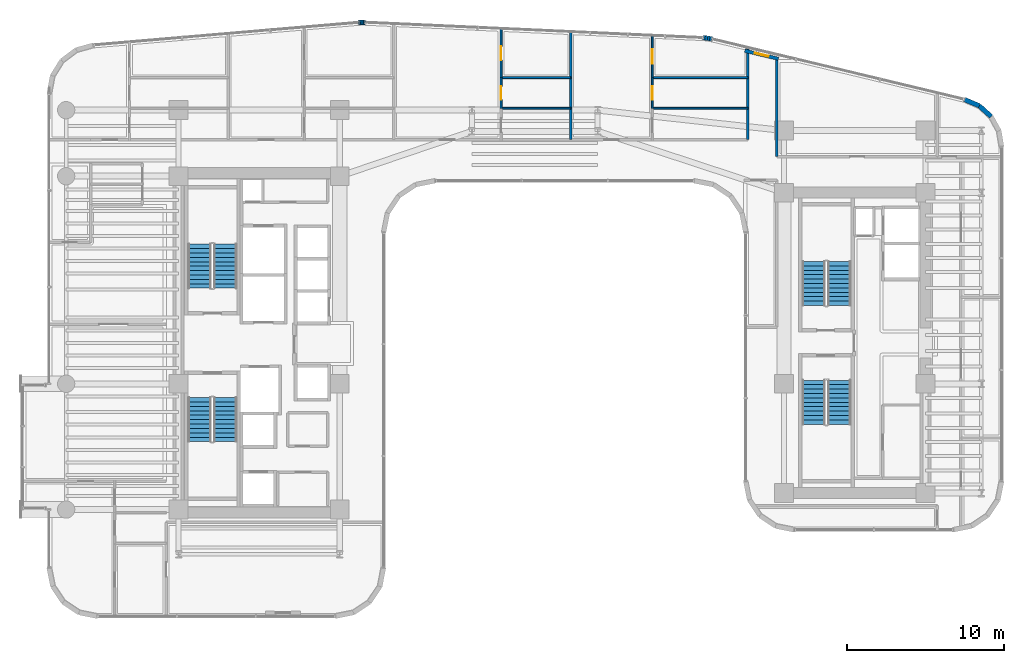
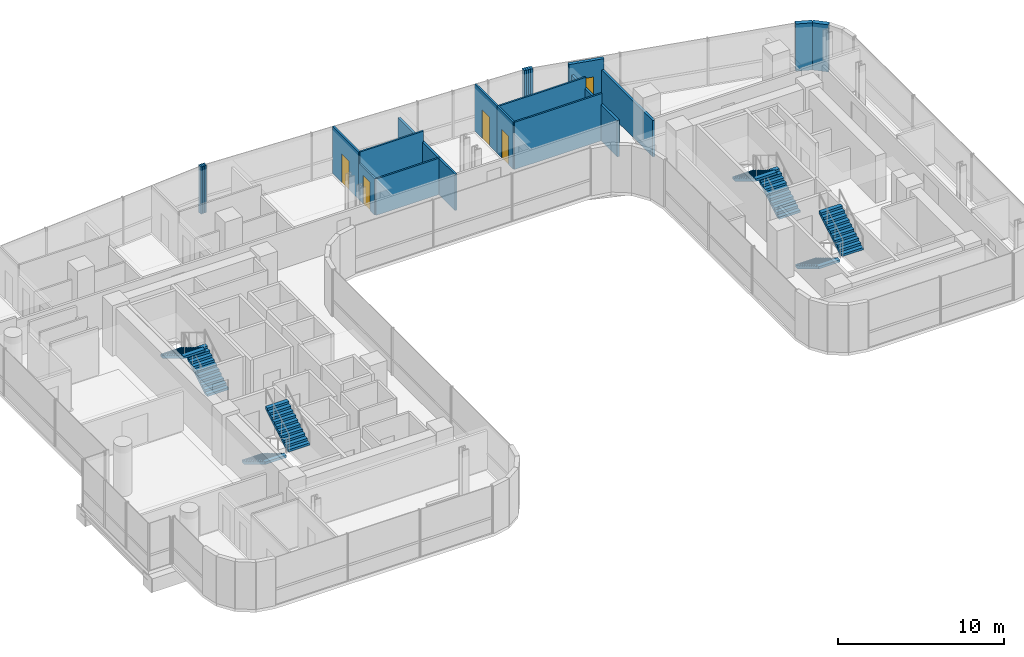
# One storey, part 32 of 37: 22 walls, 8 stair flights, 4 doors, 1 window, 5 openings, 4 elements without a shape of their own.
"""IFC4 building model written with IfcOpenShell, lengths in metres."""

from ifc_helpers import new_model, si_unit, direction, frame, frame_2d, origin, place, context, subcontext, project, spatial, polyline, rectangle, outline, extrude, material, layer, layer_set, type_object, element, fill, aggregate, save


model = new_model("IFC4")

# Units and contexts
model_context = context("Model", 3, precision=1e-05, world=origin(), true_north=direction((0.0, 1.0)))
body_context = subcontext(model_context, "Body", "Model", "MODEL_VIEW")
ifc_project = project(units=[si_unit("LENGTHUNIT", "METRE"), si_unit("AREAUNIT", "SQUARE_METRE"), si_unit("VOLUMEUNIT", "CUBIC_METRE"), si_unit("PLANEANGLEUNIT", "RADIAN"), si_unit("MASSUNIT", "GRAM", prefix="KILO")], contexts=[model_context])

# Site, building, storey
site_placement = place(None, origin())
site = spatial("IfcSite", under=ifc_project, at=site_placement, CompositionType="ELEMENT")
building_placement = place(site_placement, origin())
building = spatial("IfcBuilding", under=site, at=building_placement, Name="Valdorenza Pilgrim Sanctuary Tower", CompositionType="ELEMENT")
storey_placement = place(building_placement, frame((0.0, 0.0, 127.89990234375)))
storey = spatial("IfcBuildingStorey", under=building, at=storey_placement, Name="L32", CompositionType="ELEMENT", Elevation=127.89990234375)

# Walls
ifc_material_1 = material(Name="Acoustic twin-stud gypsum partition", Category="gypsum")
ifc_layer_1 = layer(ifc_material_1, 0.159912109375, Name="Acoustic twin-stud gypsum partition")
ifc_layer_set_1 = layer_set([ifc_layer_1], Name="Acoustic twin-stud gypsum partition")
wall_type_1 = type_object("IfcWallType", Name="WAL-COR-160", PredefinedType="PARTITIONING", material=ifc_layer_set_1)
wall_1_placement = place(storey_placement, frame((13.550048828125, 12.919921875, 0.0), z_axis=(0.0, 0.0, 1.0), x_axis=(0.0, 1.0, 0.0)))
element("IfcWall", 1, at=wall_1_placement, inside=storey, type_object=wall_type_1, Name="L32 North Band East Closure", PredefinedType="PARTITIONING", context=body_context, shape_type="SweptSolid", body=[
    extrude(rectangle(XDim=5.856689453125, YDim=0.159912109375, at=frame_2d((2.92822265625, 0.0))), origin(), (0.0, 0.0, 1.0), 2.666015625),
])
wall_2_placement = place(storey_placement, frame((15.39990234375, 11.85009765625, 0.0), z_axis=(0.0, 0.0, 1.0), x_axis=(0.0, 1.0, 0.0)))
element("IfcWall", 2, at=wall_2_placement, inside=storey, type_object=wall_type_1, Name="L32 Wing B North West Wall", PredefinedType="PARTITIONING", context=body_context, shape_type="SweptSolid", body=[
    extrude(rectangle(XDim=6.14990234375, YDim=0.159912109375, at=frame_2d((3.074951171875, 0.0))), origin(), (0.0, 0.0, 1.0), 2.666015625),
])
ifc_material_2 = material(Name="Honed travertine limestone", Category="masonry")
ifc_layer_2 = layer(ifc_material_2, 0.300048828125, Name="Honed travertine limestone")
ifc_layer_set_2 = layer_set([ifc_layer_2], Name="Honed travertine limestone")
wall_type_2 = type_object("IfcWallType", Name="WAL-EXT-300", PredefinedType="SOLIDWALL", material=ifc_layer_set_2)
wall_3_placement = place(storey_placement, frame((-11.199462890625, 20.37255859375, 0.0), z_axis=(0.0, 0.0, 1.0), x_axis=(0.997567332166, 0.069709524416, 0.0)))
element("IfcWall", 3, at=wall_3_placement, inside=storey, type_object=wall_type_2, Name="L32 Rounded Wind-Corner Stone Pier 7", PredefinedType="SOLIDWALL", context=body_context, shape_type="SweptSolid", body=[
    extrude(rectangle(XDim=0.1015625, YDim=0.300048828125, at=frame_2d((0.05078125, 0.0))), origin(), (0.0, 0.0, 1.0), 3.460205078125),
])
wall_4_placement = place(storey_placement, frame((-11.09814453125, 20.379638671875, 0.0), z_axis=(0.0, 0.0, 1.0), x_axis=(0.999334672785, 0.03647206835, 0.0)))
element("IfcWall", 4, at=wall_4_placement, inside=storey, type_object=wall_type_2, Name="L32 Rounded Wind-Corner Stone Pier 8", PredefinedType="SOLIDWALL", context=body_context, shape_type="SweptSolid", body=[
    extrude(rectangle(XDim=0.100341796875, YDim=0.300048828125, at=frame_2d((0.05029296875, 0.0))), origin(), (0.0, 0.0, 1.0), 3.460205078125),
])
wall_5_placement = place(storey_placement, frame((-10.997802734375, 20.38330078125, 0.0), z_axis=(0.0, 0.0, 1.0), x_axis=(0.999997054401, 0.002427177317, 0.0)))
element("IfcWall", 5, at=wall_5_placement, inside=storey, type_object=wall_type_2, Name="L32 Rounded Wind-Corner Stone Pier 9", PredefinedType="SOLIDWALL", context=body_context, shape_type="SweptSolid", body=[
    extrude(rectangle(XDim=0.1005859375, YDim=0.300048828125, at=frame_2d((0.05029296875, 0.0))), origin(), (0.0, 0.0, 1.0), 3.460205078125),
])
wall_6_placement = place(storey_placement, frame((-10.897216796875, 20.383544921875, 0.0), z_axis=(0.0, 0.0, 1.0), x_axis=(0.999584209171, -0.02883415988, 0.0)))
element("IfcWall", 6, at=wall_6_placement, inside=storey, type_object=wall_type_2, Name="L32 Rounded Wind-Corner Stone Pier 10", PredefinedType="SOLIDWALL", context=body_context, shape_type="SweptSolid", body=[
    extrude(rectangle(XDim=0.1015625, YDim=0.300048828125, at=frame_2d((0.05078125, 0.0))), origin(), (0.0, 0.0, 1.0), 3.460205078125),
])
wall_7_placement = place(storey_placement, frame((10.68994140625, 19.404052734375, 0.0), z_axis=(0.0, 0.0, 1.0), x_axis=(0.99758310784, -0.069483400546, 0.0)))
element("IfcWall", 7, at=wall_7_placement, inside=storey, type_object=wall_type_2, Name="L32 Rounded Wind-Corner Stone Pier 12", PredefinedType="SOLIDWALL", context=body_context, shape_type="SweptSolid", body=[
    extrude(rectangle(XDim=0.1474609375, YDim=0.300048828125, at=frame_2d((0.07373046875, 0.0))), origin(), (0.0, 0.0, 1.0), 3.460205078125),
])
for number, where, z_axis, x_axis, name in (
    (8, (10.837158203125, 19.393798828125, 0.0), (0.0, 0.0, 1.0), (0.993173334962, -0.116647874912, 0.0), "L32 Rounded Wind-Corner Stone Pier 13"),
    (9, (10.982666015625, 19.376708984375, 0.0), (0.0, 0.0, 1.0), (0.986573494681, -0.163317909592, 0.0), "L32 Rounded Wind-Corner Stone Pier 14"),
):
    element("IfcWall", number, at=place(storey_placement, frame(where, z_axis=z_axis, x_axis=x_axis)), inside=storey, type_object=wall_type_2, Name=name, PredefinedType="SOLIDWALL", context=body_context, shape_type="SweptSolid", body=[
        extrude(rectangle(XDim=0.146484375, YDim=0.300048828125, at=frame_2d((0.0732421875, 0.0))), origin(), (0.0, 0.0, 1.0), 3.460205078125),
    ])
wall_8_placement = place(storey_placement, frame((11.127197265625, 19.352783203125, 0.0), z_axis=(0.0, 0.0, 1.0), x_axis=(0.978019841688, -0.208511844421, 0.0)))
element("IfcWall", 10, at=wall_8_placement, inside=storey, type_object=wall_type_2, Name="L32 Rounded Wind-Corner Stone Pier 15", PredefinedType="SOLIDWALL", context=body_context, shape_type="SweptSolid", body=[
    extrude(rectangle(XDim=0.1474609375, YDim=0.300048828125, at=frame_2d((0.07373046875, 0.0))), origin(), (0.0, 0.0, 1.0), 3.460205078125),
])

# Wall, opening, window
wall_9_placement = place(storey_placement, frame((13.355224609375, 18.576416015625, 0.0), z_axis=(0.0, 0.0, 1.0), x_axis=(0.97252211384, -0.232810519721, 0.0)))
wall_9 = element("IfcWall", 11, at=wall_9_placement, inside=storey, type_object=wall_type_2, Name="L32 Operable Ventilation Sash Jamb Pier", PredefinedType="SOLIDWALL", context=body_context, shape_type="SweptSolid", body=[
    extrude(rectangle(XDim=2.2001953125, YDim=0.219970703125, at=frame_2d((1.10009765625, 0.0))), origin(), (0.0, 0.0, 1.0), 3.460205078125),
])
opening_1_placement = place(wall_9_placement, frame((0.64990234375, 0.0, 0.949951171875)))
opening_1 = element("IfcOpeningElement", 12, at=opening_1_placement, cuts=wall_9, Name="Opening WN-OP1", PredefinedType="OPENING", context=body_context, shape_type="SweptSolid", body=[
    extrude(rectangle(XDim=0.89990234375, YDim=1.300048828125, at=frame_2d((0.449951171875, 0.64990234375))), frame((0.0, 0.125, 0.0), z_axis=(0.0, -1.0, 0.0), x_axis=(1.0, 0.0, 0.0)), (0.0, 0.0, 1.0), 0.249755859375),
])
ifc_material_3 = material(Name="Ceramic-fritted low-E IGU glazing", Category="glass")
window_type = type_object("IfcWindowType", Name="WIN-OPN-900", PartitioningType="SINGLE_PANEL", PredefinedType="WINDOW", material=ifc_material_3)
window_placement = place(opening_1_placement, origin())
window = element("IfcWindow", 13, at=window_placement, inside=storey, type_object=window_type, Name="L32 Parallel-Pop-Out Operable Facade Panel", OverallHeight=1.300048828125, OverallWidth=0.89990234375, PartitioningType="SINGLE_PANEL", PredefinedType="WINDOW", context=body_context, shape_type="SweptSolid", body=[
    extrude(rectangle(XDim=0.89990234375, YDim=1.300048828125, at=frame_2d((0.449951171875, 0.64990234375))), frame((0.0, 0.030029296875, 0.0), z_axis=(0.0, -1.0, 0.0), x_axis=(1.0, 0.0, 0.0)), (0.0, 0.0, 1.0), 0.06005859375),
])
fill(opening_1, window)

# Walls
wall_10_placement = place(storey_placement, frame((27.310302734375, 15.48291015625, 0.0), z_axis=(0.0, 0.0, 1.0), x_axis=(0.920250328759, -0.391330208927, 0.0)))
element("IfcWall", 14, at=wall_10_placement, inside=storey, type_object=wall_type_2, Name="L32 Rounded Wind-Corner Stone Pier 17", PredefinedType="SOLIDWALL", context=body_context, shape_type="SweptSolid", body=[
    extrude(rectangle(XDim=1.0361328125, YDim=0.300048828125, at=frame_2d((0.51806640625, 0.0))), origin(), (0.0, 0.0, 1.0), 3.460205078125),
])
wall_11_placement = place(storey_placement, frame((28.263916015625, 15.077392578125, 0.0), z_axis=(0.0, 0.0, 1.0), x_axis=(0.741208839713, -0.671274501178, 0.0)))
element("IfcWall", 15, at=wall_11_placement, inside=storey, type_object=wall_type_2, Name="L32 Rounded Wind-Corner Stone Pier 18", PredefinedType="SOLIDWALL", context=body_context, shape_type="SweptSolid", body=[
    extrude(rectangle(XDim=1.0263671875, YDim=0.300048828125, at=frame_2d((0.51318359375, 0.0))), origin(), (0.0, 0.0, 1.0), 3.460205078125),
])
ifc_material_4 = material(Name="Moisture-resistant gypsum partition", Category="gypsum")
ifc_layer_3 = layer(ifc_material_4, 0.1201171875, Name="Moisture-resistant gypsum partition")
ifc_layer_set_3 = layer_set([ifc_layer_3], Name="Moisture-resistant gypsum partition")
wall_type_3 = type_object("IfcWallType", Name="WAL-INT-120", PredefinedType="PARTITIONING", material=ifc_layer_set_3)
wall_12_placement = place(storey_placement, frame((-2.14453125, 14.919921875, 0.0), z_axis=(0.0, 0.0, 1.0), x_axis=(1.0, 0.0, 0.0)))
element("IfcWall", 16, at=wall_12_placement, inside=storey, type_object=wall_type_3, Name="L32 North Sanctuary Apartment L32-N3 Bath-Kitchen Wall", PredefinedType="PARTITIONING", context=body_context, shape_type="SweptSolid", body=[
    extrude(rectangle(XDim=4.431640625, YDim=0.1201171875, at=frame_2d((2.2158203125, 0.0))), origin(), (0.0, 0.0, 1.0), 2.666015625),
])
wall_13_placement = place(storey_placement, frame((-2.14453125, 16.8701171875, 0.0), z_axis=(0.0, 0.0, 1.0), x_axis=(1.0, 0.0, 0.0)))
element("IfcWall", 17, at=wall_13_placement, inside=storey, type_object=wall_type_3, Name="L32 North Sanctuary Apartment L32-N3 Kitchen-Bedroom Wall", PredefinedType="PARTITIONING", context=body_context, shape_type="SweptSolid", body=[
    extrude(rectangle(XDim=4.431640625, YDim=0.1201171875, at=frame_2d((2.2158203125, 0.0))), origin(), (0.0, 0.0, 1.0), 3.460205078125),
])

# Wall, opening, door
wall_14_placement = place(storey_placement, frame((-2.14453125, 14.919921875, 0.0), z_axis=(0.0, 0.0, 1.0), x_axis=(0.0, 1.0, 0.0)))
wall_14 = element("IfcWall", 18, at=wall_14_placement, inside=storey, type_object=wall_type_3, Name="L32 North Sanctuary Apartment L32-N3 Bathroom Door Wall", PredefinedType="PARTITIONING", context=body_context, shape_type="SweptSolid", body=[
    extrude(rectangle(XDim=1.9501953125, YDim=0.1201171875, at=frame_2d((0.97509765625, 0.0))), origin(), (0.0, 0.0, 1.0), 2.666015625),
])
opening_2_placement = place(wall_14_placement, frame((0.550048828125, 0.0, 0.0)))
opening_2 = element("IfcOpeningElement", 19, at=opening_2_placement, cuts=wall_14, Name="Opening DR-WC1", PredefinedType="OPENING", context=body_context, shape_type="SweptSolid", body=[
    extrude(rectangle(XDim=0.85009765625, YDim=2.10009765625, at=frame_2d((0.425048828125, 1.050048828125))), frame((0.0, 0.074951171875, 0.0), z_axis=(0.0, -1.0, 0.0), x_axis=(1.0, 0.0, 0.0)), (0.0, 0.0, 1.0), 0.14990234375),
])
ifc_material_5 = material(Name="Moisture-resistant lacquered timber", Category="wood")
door_type_1 = type_object("IfcDoorType", Name="DR-BATH-850", OperationType="NOTDEFINED", PredefinedType="DOOR", material=ifc_material_5)
door_1_placement = place(opening_2_placement, origin())
door_1 = element("IfcDoor", 20, at=door_1_placement, inside=storey, type_object=door_type_1, Name="L32 North Sanctuary Apartment L32-N3 Bathroom Door", OperationType="SINGLE_SWING_RIGHT", OverallHeight=2.10009765625, OverallWidth=0.85009765625, PredefinedType="DOOR", context=body_context, shape_type="SweptSolid", body=[
    extrude(rectangle(XDim=0.85009765625, YDim=2.10009765625, at=frame_2d((0.425048828125, 1.050048828125))), frame((0.0, 0.02490234375, 0.0), z_axis=(0.0, -1.0, 0.0), x_axis=(1.0, 0.0, 0.0)), (0.0, 0.0, 1.0), 0.050048828125),
])
fill(opening_2, door_1)

wall_15_placement = place(storey_placement, frame((-2.14453125, 16.8701171875, 0.0), z_axis=(0.0, 0.0, 1.0), x_axis=(0.0, 1.0, 0.0)))
wall_15 = element("IfcWall", 21, at=wall_15_placement, inside=storey, type_object=wall_type_3, Name="L32 North Sanctuary Apartment L32-N3 Bedroom Door Wall", PredefinedType="PARTITIONING", context=body_context, shape_type="SweptSolid", body=[
    extrude(rectangle(XDim=3.1171875, YDim=0.1201171875, at=frame_2d((1.55859375, 0.0))), origin(), (0.0, 0.0, 1.0), 3.460205078125),
])
opening_3_placement = place(wall_15_placement, frame((1.10888671875, 0.0, 0.0)))
opening_3 = element("IfcOpeningElement", 22, at=opening_3_placement, cuts=wall_15, Name="Opening DR-RM1", PredefinedType="OPENING", context=body_context, shape_type="SweptSolid", body=[
    extrude(rectangle(XDim=0.89990234375, YDim=2.10009765625, at=frame_2d((0.449951171875, 1.050048828125))), frame((0.0, 0.074951171875, 0.0), z_axis=(0.0, -1.0, 0.0), x_axis=(1.0, 0.0, 0.0)), (0.0, 0.0, 1.0), 0.14990234375),
])
ifc_material_6 = material(Name="Solid-core European oak timber", Category="wood")
door_type_2 = type_object("IfcDoorType", Name="DR-ROOM-900", OperationType="NOTDEFINED", PredefinedType="DOOR", material=ifc_material_6)
door_2_placement = place(opening_3_placement, origin())
door_2 = element("IfcDoor", 23, at=door_2_placement, inside=storey, type_object=door_type_2, Name="L32 North Sanctuary Apartment L32-N3 Bedroom Door", OperationType="SINGLE_SWING_RIGHT", OverallHeight=2.10009765625, OverallWidth=0.89990234375, PredefinedType="DOOR", context=body_context, shape_type="SweptSolid", body=[
    extrude(rectangle(XDim=0.89990234375, YDim=2.10009765625, at=frame_2d((0.449951171875, 1.050048828125))), frame((0.0, 0.02490234375, 0.0), z_axis=(0.0, -1.0, 0.0), x_axis=(1.0, 0.0, 0.0)), (0.0, 0.0, 1.0), 0.050048828125),
])
fill(opening_3, door_2)

# Walls
for number, where, z_axis, x_axis, name in (
    (24, (7.468017578125, 14.919921875, 0.0), (0.0, 0.0, 1.0), (1.0, 0.0, 0.0), "L32 North Sanctuary Apartment L32-N4 Bath-Kitchen Wall"),
    (25, (7.468017578125, 16.8701171875, 0.0), (0.0, 0.0, 1.0), (1.0, 0.0, 0.0), "L32 North Sanctuary Apartment L32-N4 Kitchen-Bedroom Wall"),
):
    element("IfcWall", number, at=place(storey_placement, frame(where, z_axis=z_axis, x_axis=x_axis)), inside=storey, type_object=wall_type_3, Name=name, PredefinedType="PARTITIONING", context=body_context, shape_type="SweptSolid", body=[
        extrude(rectangle(XDim=6.08203125, YDim=0.1201171875, at=frame_2d((3.041015625, 0.0))), origin(), (0.0, 0.0, 1.0), 3.460205078125),
    ])

# Wall, opening, door
wall_16_placement = place(storey_placement, frame((7.468017578125, 14.919921875, 0.0), z_axis=(0.0, 0.0, 1.0), x_axis=(0.0, 1.0, 0.0)))
wall_16 = element("IfcWall", 26, at=wall_16_placement, inside=storey, type_object=wall_type_3, Name="L32 North Sanctuary Apartment L32-N4 Bathroom Door Wall", PredefinedType="PARTITIONING", context=body_context, shape_type="SweptSolid", body=[
    extrude(rectangle(XDim=1.9501953125, YDim=0.1201171875, at=frame_2d((0.97509765625, 0.0))), origin(), (0.0, 0.0, 1.0), 3.460205078125),
])
opening_4_placement = place(wall_16_placement, frame((0.550048828125, 0.0, 0.0)))
opening_4 = element("IfcOpeningElement", 27, at=opening_4_placement, cuts=wall_16, Name="Opening DR-WC1", PredefinedType="OPENING", context=body_context, shape_type="SweptSolid", body=[
    extrude(rectangle(XDim=0.85009765625, YDim=2.10009765625, at=frame_2d((0.425048828125, 1.050048828125))), frame((0.0, 0.074951171875, 0.0), z_axis=(0.0, -1.0, 0.0), x_axis=(1.0, 0.0, 0.0)), (0.0, 0.0, 1.0), 0.14990234375),
])
door_3_placement = place(opening_4_placement, origin())
door_3 = element("IfcDoor", 28, at=door_3_placement, inside=storey, type_object=door_type_1, Name="L32 North Sanctuary Apartment L32-N4 Bathroom Door", OperationType="SINGLE_SWING_RIGHT", OverallHeight=2.10009765625, OverallWidth=0.85009765625, PredefinedType="DOOR", context=body_context, shape_type="SweptSolid", body=[
    extrude(rectangle(XDim=0.85009765625, YDim=2.10009765625, at=frame_2d((0.425048828125, 1.050048828125))), frame((0.0, 0.02490234375, 0.0), z_axis=(0.0, -1.0, 0.0), x_axis=(1.0, 0.0, 0.0)), (0.0, 0.0, 1.0), 0.050048828125),
])
fill(opening_4, door_3)

wall_17_placement = place(storey_placement, frame((7.468017578125, 16.8701171875, 0.0), z_axis=(0.0, 0.0, 1.0), x_axis=(0.0, 1.0, 0.0)))
wall_17 = element("IfcWall", 29, at=wall_17_placement, inside=storey, type_object=wall_type_3, Name="L32 North Sanctuary Apartment L32-N4 Bedroom Door Wall", PredefinedType="PARTITIONING", context=body_context, shape_type="SweptSolid", body=[
    extrude(rectangle(XDim=2.68017578125, YDim=0.1201171875, at=frame_2d((1.340087890625, 0.0))), origin(), (0.0, 0.0, 1.0), 3.460205078125),
])
opening_5_placement = place(wall_17_placement, frame((0.889892578125, 0.0, 0.0)))
opening_5 = element("IfcOpeningElement", 30, at=opening_5_placement, cuts=wall_17, Name="Opening DR-RM1", PredefinedType="OPENING", context=body_context, shape_type="SweptSolid", body=[
    extrude(rectangle(XDim=0.89990234375, YDim=2.10009765625, at=frame_2d((0.449951171875, 1.050048828125))), frame((0.0, 0.074951171875, 0.0), z_axis=(0.0, -1.0, 0.0), x_axis=(1.0, 0.0, 0.0)), (0.0, 0.0, 1.0), 0.14990234375),
])
door_4_placement = place(opening_5_placement, origin())
door_4 = element("IfcDoor", 31, at=door_4_placement, inside=storey, type_object=door_type_2, Name="L32 North Sanctuary Apartment L32-N4 Bedroom Door", OperationType="SINGLE_SWING_RIGHT", OverallHeight=2.10009765625, OverallWidth=0.89990234375, PredefinedType="DOOR", context=body_context, shape_type="SweptSolid", body=[
    extrude(rectangle(XDim=0.89990234375, YDim=2.10009765625, at=frame_2d((0.449951171875, 1.050048828125))), frame((0.0, 0.02490234375, 0.0), z_axis=(0.0, -1.0, 0.0), x_axis=(1.0, 0.0, 0.0)), (0.0, 0.0, 1.0), 0.050048828125),
])
fill(opening_5, door_4)

# Wall
ifc_layer_4 = layer(ifc_material_1, 0.14990234375, Name="Acoustic twin-stud gypsum partition")
ifc_layer_set_4 = layer_set([ifc_layer_4], Name="Acoustic twin-stud gypsum partition")
wall_type_4 = type_object("IfcWallType", Name="WAL-UNT-150", PredefinedType="PARTITIONING", material=ifc_layer_set_4)
wall_18_placement = place(storey_placement, frame((2.287109375, 12.919921875, 0.0), z_axis=(0.0, 0.0, 1.0), x_axis=(0.0, 1.0, 0.0)))
element("IfcWall", 32, at=wall_18_placement, inside=storey, type_object=wall_type_4, Name="L32 North Apt Demising 3", PredefinedType="PARTITIONING", context=body_context, shape_type="SweptSolid", body=[
    extrude(rectangle(XDim=6.865966796875, YDim=0.14990234375, at=frame_2d((3.43310546875, 0.0))), origin(), (0.0, 0.0, 1.0), 2.666015625),
])

# Stair, stair flights
ifc_material_7 = material(Name="Concrete C40/50", Category="concrete")
stair_type = type_object("IfcStairType", Name="STR-DOG-CORE", PredefinedType="HALF_TURN_STAIR", material=ifc_material_7)
stair_1_placement = place(storey_placement, origin())
stair_1 = element("IfcStair", 33, at=stair_1_placement, inside=storey, type_object=stair_type, Name="L32 ST-A1", PredefinedType="HALF_TURN_STAIR")
stair_flight_type = type_object("IfcStairFlightType", Name="STF-RC-1400", PredefinedType="STRAIGHT", material=ifc_material_7)
stair_flight_1_placement = place(storey_placement, frame((-19.679931640625, 3.47998046875, 0.0), z_axis=(0.0, 0.0, 1.0), x_axis=(0.0, 1.0, 0.0)))
stair_flight_1 = element("IfcStairFlight", 34, at=stair_flight_1_placement, type_object=stair_flight_type, Name="ST-A1 flight 1", NumberOfRisers=11, NumberOfTreads=10, PredefinedType="STRAIGHT", RiserHeight=0.168181818, TreadLength=0.28, context=body_context, shape_type="SweptSolid", body=[
    extrude(outline(polyline([(0.0, 0.0), (0.0, 0.168212890625), (0.280029296875, 0.168212890625), (0.280029296875, 0.33642578125), (0.56005859375, 0.33642578125), (0.56005859375, 0.504638671875), (0.840087890625, 0.504638671875), (0.840087890625, 0.672607421875), (1.1201171875, 0.672607421875), (1.1201171875, 0.8408203125), (1.39990234375, 0.8408203125), (1.39990234375, 1.009033203125), (1.679931640625, 1.009033203125), (1.679931640625, 1.17724609375), (1.9599609375, 1.17724609375), (1.9599609375, 1.345458984375), (2.239990234375, 1.345458984375), (2.239990234375, 1.513671875), (2.52001953125, 1.513671875), (2.52001953125, 1.681884765625), (2.800048828125, 1.681884765625), (2.800048828125, 1.85009765625), (2.800048828125, 1.5068359375), (0.291015625, 0.0), (0.0, 0.0)])), frame((0.0, 0.739990234375, 0.0), z_axis=(0.0, -1.0, 0.0), x_axis=(1.0, 0.0, 0.0)), (0.0, 0.0, 1.0), 1.47998046875),
])
stair_flight_2_placement = place(storey_placement, frame((-21.31005859375, 6.280029296875, 1.85009765625), z_axis=(0.0, 0.0, 1.0), x_axis=(0.0, -1.0, 0.0)))
stair_flight_2 = element("IfcStairFlight", 35, at=stair_flight_2_placement, type_object=stair_flight_type, Name="ST-A1 flight 2", NumberOfRisers=11, NumberOfTreads=10, PredefinedType="STRAIGHT", RiserHeight=0.168181818, TreadLength=0.28, context=body_context, shape_type="SweptSolid", body=[
    extrude(outline(polyline([(0.0, 0.0), (0.0, 0.168212890625), (0.280029296875, 0.168212890625), (0.280029296875, 0.33642578125), (0.56005859375, 0.33642578125), (0.56005859375, 0.504638671875), (0.840087890625, 0.504638671875), (0.840087890625, 0.672607421875), (1.1201171875, 0.672607421875), (1.1201171875, 0.8408203125), (1.39990234375, 0.8408203125), (1.39990234375, 1.009033203125), (1.679931640625, 1.009033203125), (1.679931640625, 1.17724609375), (1.9599609375, 1.17724609375), (1.9599609375, 1.345458984375), (2.239990234375, 1.345458984375), (2.239990234375, 1.513671875), (2.52001953125, 1.513671875), (2.52001953125, 1.681884765625), (2.800048828125, 1.681884765625), (2.800048828125, 1.85009765625), (2.800048828125, 1.5068359375), (0.291015625, 0.0), (0.0, 0.0)])), frame((0.0, 0.739990234375, 0.0), z_axis=(0.0, -1.0, 0.0), x_axis=(1.0, 0.0, 0.0)), (0.0, 0.0, 1.0), 1.47998046875),
])
aggregate(stair_1, [stair_flight_1, stair_flight_2])

stair_2_placement = place(storey_placement, origin())
stair_2 = element("IfcStair", 36, at=stair_2_placement, inside=storey, type_object=stair_type, Name="L32 ST-A2", PredefinedType="HALF_TURN_STAIR")
stair_flight_3_placement = place(storey_placement, frame((-21.31005859375, -3.47998046875, 0.0), z_axis=(0.0, 0.0, 1.0), x_axis=(0.0, -1.0, 0.0)))
stair_flight_3 = element("IfcStairFlight", 37, at=stair_flight_3_placement, type_object=stair_flight_type, Name="ST-A2 flight 1", NumberOfRisers=11, NumberOfTreads=10, PredefinedType="STRAIGHT", RiserHeight=0.168181818, TreadLength=0.28, context=body_context, shape_type="SweptSolid", body=[
    extrude(outline(polyline([(0.0, 0.0), (0.0, 0.168212890625), (0.280029296875, 0.168212890625), (0.280029296875, 0.33642578125), (0.56005859375, 0.33642578125), (0.56005859375, 0.504638671875), (0.840087890625, 0.504638671875), (0.840087890625, 0.672607421875), (1.1201171875, 0.672607421875), (1.1201171875, 0.8408203125), (1.39990234375, 0.8408203125), (1.39990234375, 1.009033203125), (1.679931640625, 1.009033203125), (1.679931640625, 1.17724609375), (1.9599609375, 1.17724609375), (1.9599609375, 1.345458984375), (2.239990234375, 1.345458984375), (2.239990234375, 1.513671875), (2.52001953125, 1.513671875), (2.52001953125, 1.681884765625), (2.800048828125, 1.681884765625), (2.800048828125, 1.85009765625), (2.800048828125, 1.5068359375), (0.291015625, 0.0), (0.0, 0.0)])), frame((0.0, 0.739990234375, 0.0), z_axis=(0.0, -1.0, 0.0), x_axis=(1.0, 0.0, 0.0)), (0.0, 0.0, 1.0), 1.47998046875),
])
stair_flight_4_placement = place(storey_placement, frame((-19.679931640625, -6.280029296875, 1.85009765625), z_axis=(0.0, 0.0, 1.0), x_axis=(0.0, 1.0, 0.0)))
stair_flight_4 = element("IfcStairFlight", 38, at=stair_flight_4_placement, type_object=stair_flight_type, Name="ST-A2 flight 2", NumberOfRisers=11, NumberOfTreads=10, PredefinedType="STRAIGHT", RiserHeight=0.168181818, TreadLength=0.28, context=body_context, shape_type="SweptSolid", body=[
    extrude(outline(polyline([(0.0, 0.0), (0.0, 0.168212890625), (0.280029296875, 0.168212890625), (0.280029296875, 0.33642578125), (0.56005859375, 0.33642578125), (0.56005859375, 0.504638671875), (0.840087890625, 0.504638671875), (0.840087890625, 0.672607421875), (1.1201171875, 0.672607421875), (1.1201171875, 0.8408203125), (1.39990234375, 0.8408203125), (1.39990234375, 1.009033203125), (1.679931640625, 1.009033203125), (1.679931640625, 1.17724609375), (1.9599609375, 1.17724609375), (1.9599609375, 1.345458984375), (2.239990234375, 1.345458984375), (2.239990234375, 1.513671875), (2.52001953125, 1.513671875), (2.52001953125, 1.681884765625), (2.800048828125, 1.681884765625), (2.800048828125, 1.85009765625), (2.800048828125, 1.5068359375), (0.291015625, 0.0), (0.0, 0.0)])), frame((0.0, 0.739990234375, 0.0), z_axis=(0.0, -1.0, 0.0), x_axis=(1.0, 0.0, 0.0)), (0.0, 0.0, 1.0), 1.47998046875),
])
aggregate(stair_2, [stair_flight_3, stair_flight_4])

stair_3_placement = place(storey_placement, origin())
stair_3 = element("IfcStair", 39, at=stair_3_placement, inside=storey, type_object=stair_type, Name="L32 ST-B1", PredefinedType="HALF_TURN_STAIR")
stair_flight_5_placement = place(storey_placement, frame((19.3701171875, 2.3798828125, 0.0), z_axis=(0.0, 0.0, 1.0), x_axis=(0.0, 1.0, 0.0)))
stair_flight_5 = element("IfcStairFlight", 40, at=stair_flight_5_placement, type_object=stair_flight_type, Name="ST-B1 flight 1", NumberOfRisers=11, NumberOfTreads=10, PredefinedType="STRAIGHT", RiserHeight=0.168181818, TreadLength=0.28, context=body_context, shape_type="SweptSolid", body=[
    extrude(outline(polyline([(0.0, 0.0), (0.0, 0.168212890625), (0.280029296875, 0.168212890625), (0.280029296875, 0.33642578125), (0.56005859375, 0.33642578125), (0.56005859375, 0.504638671875), (0.840087890625, 0.504638671875), (0.840087890625, 0.672607421875), (1.1201171875, 0.672607421875), (1.1201171875, 0.8408203125), (1.39990234375, 0.8408203125), (1.39990234375, 1.009033203125), (1.679931640625, 1.009033203125), (1.679931640625, 1.17724609375), (1.9599609375, 1.17724609375), (1.9599609375, 1.345458984375), (2.239990234375, 1.345458984375), (2.239990234375, 1.513671875), (2.52001953125, 1.513671875), (2.52001953125, 1.681884765625), (2.800048828125, 1.681884765625), (2.800048828125, 1.85009765625), (2.800048828125, 1.5068359375), (0.291015625, 0.0), (0.0, 0.0)])), frame((0.0, 0.739990234375, 0.0), z_axis=(0.0, -1.0, 0.0), x_axis=(1.0, 0.0, 0.0)), (0.0, 0.0, 1.0), 1.47998046875),
])
stair_flight_6_placement = place(storey_placement, frame((17.739990234375, 5.179931640625, 1.85009765625), z_axis=(0.0, 0.0, 1.0), x_axis=(0.0, -1.0, 0.0)))
stair_flight_6 = element("IfcStairFlight", 41, at=stair_flight_6_placement, type_object=stair_flight_type, Name="ST-B1 flight 2", NumberOfRisers=11, NumberOfTreads=10, PredefinedType="STRAIGHT", RiserHeight=0.168181818, TreadLength=0.28, context=body_context, shape_type="SweptSolid", body=[
    extrude(outline(polyline([(0.0, 0.0), (0.0, 0.168212890625), (0.280029296875, 0.168212890625), (0.280029296875, 0.33642578125), (0.56005859375, 0.33642578125), (0.56005859375, 0.504638671875), (0.840087890625, 0.504638671875), (0.840087890625, 0.672607421875), (1.1201171875, 0.672607421875), (1.1201171875, 0.8408203125), (1.39990234375, 0.8408203125), (1.39990234375, 1.009033203125), (1.679931640625, 1.009033203125), (1.679931640625, 1.17724609375), (1.9599609375, 1.17724609375), (1.9599609375, 1.345458984375), (2.239990234375, 1.345458984375), (2.239990234375, 1.513671875), (2.52001953125, 1.513671875), (2.52001953125, 1.681884765625), (2.800048828125, 1.681884765625), (2.800048828125, 1.85009765625), (2.800048828125, 1.5068359375), (0.291015625, 0.0), (0.0, 0.0)])), frame((0.0, 0.739990234375, 0.0), z_axis=(0.0, -1.0, 0.0), x_axis=(1.0, 0.0, 0.0)), (0.0, 0.0, 1.0), 1.47998046875),
])
aggregate(stair_3, [stair_flight_5, stair_flight_6])

stair_4_placement = place(storey_placement, origin())
stair_4 = element("IfcStair", 42, at=stair_4_placement, inside=storey, type_object=stair_type, Name="L32 ST-B2", PredefinedType="HALF_TURN_STAIR")
stair_flight_7_placement = place(storey_placement, frame((17.739990234375, -2.3798828125, 0.0), z_axis=(0.0, 0.0, 1.0), x_axis=(0.0, -1.0, 0.0)))
stair_flight_7 = element("IfcStairFlight", 43, at=stair_flight_7_placement, type_object=stair_flight_type, Name="ST-B2 flight 1", NumberOfRisers=11, NumberOfTreads=10, PredefinedType="STRAIGHT", RiserHeight=0.168181818, TreadLength=0.28, context=body_context, shape_type="SweptSolid", body=[
    extrude(outline(polyline([(0.0, 0.0), (0.0, 0.168212890625), (0.280029296875, 0.168212890625), (0.280029296875, 0.33642578125), (0.56005859375, 0.33642578125), (0.56005859375, 0.504638671875), (0.840087890625, 0.504638671875), (0.840087890625, 0.672607421875), (1.1201171875, 0.672607421875), (1.1201171875, 0.8408203125), (1.39990234375, 0.8408203125), (1.39990234375, 1.009033203125), (1.679931640625, 1.009033203125), (1.679931640625, 1.17724609375), (1.9599609375, 1.17724609375), (1.9599609375, 1.345458984375), (2.239990234375, 1.345458984375), (2.239990234375, 1.513671875), (2.52001953125, 1.513671875), (2.52001953125, 1.681884765625), (2.800048828125, 1.681884765625), (2.800048828125, 1.85009765625), (2.800048828125, 1.5068359375), (0.291015625, 0.0), (0.0, 0.0)])), frame((0.0, 0.739990234375, 0.0), z_axis=(0.0, -1.0, 0.0), x_axis=(1.0, 0.0, 0.0)), (0.0, 0.0, 1.0), 1.47998046875),
])
stair_flight_8_placement = place(storey_placement, frame((19.3701171875, -5.179931640625, 1.85009765625), z_axis=(0.0, 0.0, 1.0), x_axis=(0.0, 1.0, 0.0)))
stair_flight_8 = element("IfcStairFlight", 44, at=stair_flight_8_placement, type_object=stair_flight_type, Name="ST-B2 flight 2", NumberOfRisers=11, NumberOfTreads=10, PredefinedType="STRAIGHT", RiserHeight=0.168181818, TreadLength=0.28, context=body_context, shape_type="SweptSolid", body=[
    extrude(outline(polyline([(0.0, 0.0), (0.0, 0.168212890625), (0.280029296875, 0.168212890625), (0.280029296875, 0.33642578125), (0.56005859375, 0.33642578125), (0.56005859375, 0.504638671875), (0.840087890625, 0.504638671875), (0.840087890625, 0.672607421875), (1.1201171875, 0.672607421875), (1.1201171875, 0.8408203125), (1.39990234375, 0.8408203125), (1.39990234375, 1.009033203125), (1.679931640625, 1.009033203125), (1.679931640625, 1.17724609375), (1.9599609375, 1.17724609375), (1.9599609375, 1.345458984375), (2.239990234375, 1.345458984375), (2.239990234375, 1.513671875), (2.52001953125, 1.513671875), (2.52001953125, 1.681884765625), (2.800048828125, 1.681884765625), (2.800048828125, 1.85009765625), (2.800048828125, 1.5068359375), (0.291015625, 0.0), (0.0, 0.0)])), frame((0.0, 0.739990234375, 0.0), z_axis=(0.0, -1.0, 0.0), x_axis=(1.0, 0.0, 0.0)), (0.0, 0.0, 1.0), 1.47998046875),
])
aggregate(stair_4, [stair_flight_7, stair_flight_8])

save(model, "model.ifc")
